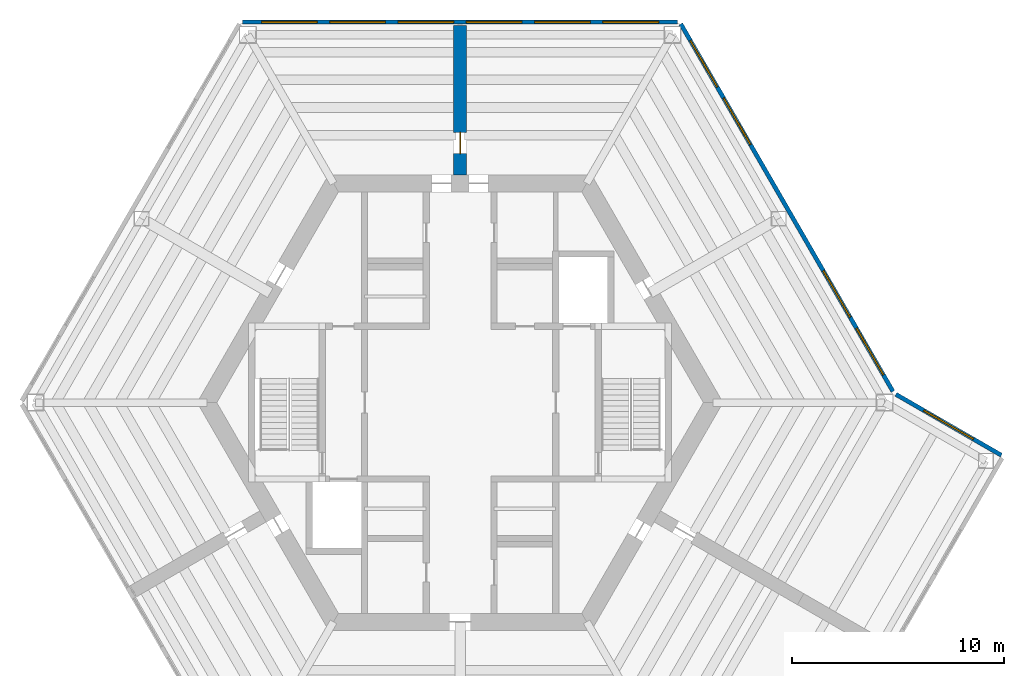
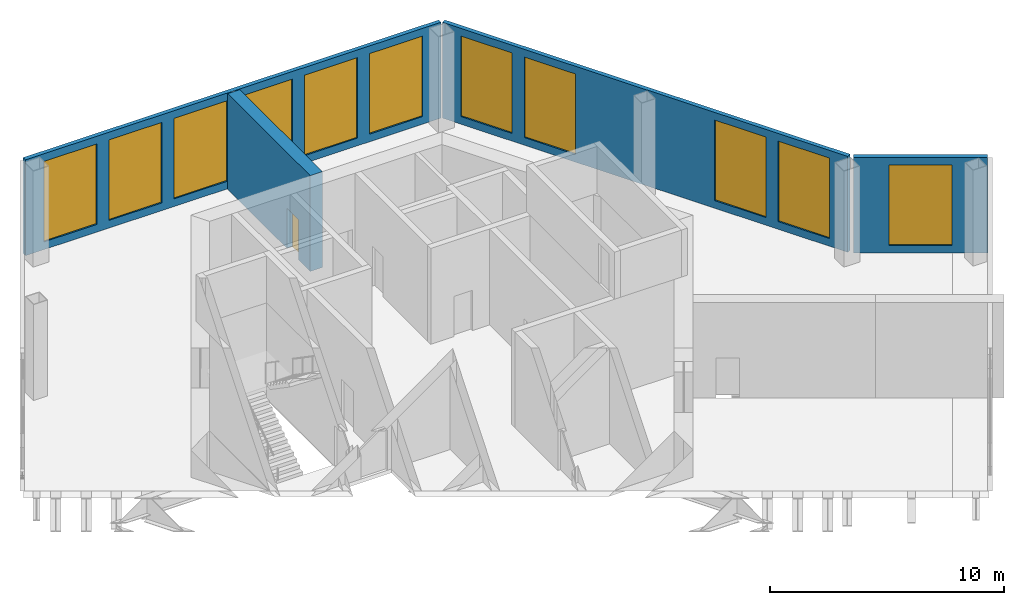
# One storey, part 6 of 8: 11 windows, 4 walls, 1 door, 12 openings.
"""IFC4 building model written with IfcOpenShell, lengths in metres."""

from ifc_helpers import new_model, si_unit, direction, frame, frame_2d, origin, place, context, subcontext, project, spatial, rectangle, extrude, material, layer, layer_set, type_object, element, fill, save


model = new_model("IFC4")

# Units and contexts
model_context = context("Model", 3, precision=1e-05, world=origin(), true_north=direction((0.0, 1.0)))
body_context = subcontext(model_context, "Body", "Model", "MODEL_VIEW")
ifc_project = project(units=[si_unit("LENGTHUNIT", "METRE"), si_unit("AREAUNIT", "SQUARE_METRE"), si_unit("VOLUMEUNIT", "CUBIC_METRE"), si_unit("PLANEANGLEUNIT", "RADIAN"), si_unit("MASSUNIT", "GRAM", prefix="KILO")], contexts=[model_context])

# Site, building, storey
site_placement = place(None, origin())
site = spatial("IfcSite", under=ifc_project, at=site_placement, CompositionType="ELEMENT")
building_placement = place(site_placement, origin())
building = spatial("IfcBuilding", under=site, at=building_placement, Name="Kasaneha Research Tower", CompositionType="ELEMENT")
storey_placement = place(building_placement, frame((0.0, 0.0, 302.5)))
storey = spatial("IfcBuildingStorey", under=building, at=storey_placement, Name="L76", CompositionType="ELEMENT", Elevation=302.5)

# Wall, openings, windows
ifc_material_1 = material(Name="Terracotta cladding on steel frame", Category="masonry")
ifc_layer_1 = layer(ifc_material_1, 0.199951171875)
ifc_layer_set_1 = layer_set([ifc_layer_1], Name="Louvred plant wall 200")
wall_type_1 = type_object("IfcWallType", Name="Louvred plant wall 200", PredefinedType="ELEMENTEDWALL", material=ifc_layer_set_1)
wall_1_placement = place(storey_placement, frame((20.38916015625, 0.52587890625, 0.0), z_axis=(0.0, 0.0, 1.0), x_axis=(-0.499993861681, 0.866028947716, 0.0)))
wall_1 = element("IfcWall", 1, at=wall_1_placement, inside=storey, type_object=wall_type_1, Name="Louvred plant wall L76", PredefinedType="ELEMENTEDWALL", context=body_context, shape_type="SweptSolid", body=[
    extrude(rectangle(XDim=19.985595703125, YDim=0.199951171875, at=frame_2d((9.99267578125, 0.0))), origin(), (0.0, 0.0, 1.0), 5.0),
])
opening_1_placement = place(wall_1_placement, frame((0.89990234375, 0.0, 0.39990234375)))
opening_1 = element("IfcOpeningElement", 2, at=opening_1_placement, cuts=wall_1, Name="Opening LV6", PredefinedType="OPENING", context=body_context, shape_type="SweptSolid", body=[
    extrude(rectangle(XDim=2.531005859375, YDim=4.199951171875, at=frame_2d((1.265625, 2.10009765625))), frame((0.0, 0.10986328125, 0.0), z_axis=(0.0, -1.0, 0.0), x_axis=(1.0, 0.0, 0.0)), (0.0, 0.0, 1.0), 0.219970703125),
])
opening_2_placement = place(wall_1_placement, frame((4.031005859375, 0.0, 0.39990234375)))
opening_2 = element("IfcOpeningElement", 3, at=opening_2_placement, cuts=wall_1, Name="Opening LV6", PredefinedType="OPENING", context=body_context, shape_type="SweptSolid", body=[
    extrude(rectangle(XDim=2.531005859375, YDim=4.199951171875, at=frame_2d((1.265625, 2.10009765625))), frame((0.0, 0.10986328125, 0.0), z_axis=(0.0, -1.0, 0.0), x_axis=(1.0, 0.0, 0.0)), (0.0, 0.0, 1.0), 0.219970703125),
])
opening_3_placement = place(wall_1_placement, frame((13.423828125, 0.0, 0.39990234375)))
opening_3 = element("IfcOpeningElement", 4, at=opening_3_placement, cuts=wall_1, Name="Opening LV6", PredefinedType="OPENING", context=body_context, shape_type="SweptSolid", body=[
    extrude(rectangle(XDim=2.531005859375, YDim=4.199951171875, at=frame_2d((1.265625, 2.10009765625))), frame((0.0, 0.10986328125, 0.0), z_axis=(0.0, -1.0, 0.0), x_axis=(1.0, 0.0, 0.0)), (0.0, 0.0, 1.0), 0.219970703125),
])
opening_4_placement = place(wall_1_placement, frame((16.5546875, 0.0, 0.39990234375)))
opening_4 = element("IfcOpeningElement", 5, at=opening_4_placement, cuts=wall_1, Name="Opening LV6", PredefinedType="OPENING", context=body_context, shape_type="SweptSolid", body=[
    extrude(rectangle(XDim=2.531005859375, YDim=4.199951171875, at=frame_2d((1.265625, 2.10009765625))), frame((0.0, 0.10986328125, 0.0), z_axis=(0.0, -1.0, 0.0), x_axis=(1.0, 0.0, 0.0)), (0.0, 0.0, 1.0), 0.219970703125),
])
ifc_material_2 = material(Name="Aluminium 6063-T6", Category="aluminium")
window_type_1 = type_object("IfcWindowType", Name="Louvre 2531x4200", PartitioningType="SINGLE_PANEL", PredefinedType="USERDEFINED", material=ifc_material_2)
window_1_placement = place(opening_1_placement, origin())
window_1 = element("IfcWindow", 6, at=window_1_placement, inside=storey, type_object=window_type_1, Name="Plant louvre L76 1", ObjectType="LOUVRE", OverallHeight=4.199951171875, OverallWidth=2.531005859375, PartitioningType="SINGLE_PANEL", PredefinedType="USERDEFINED", context=body_context, shape_type="SweptSolid", body=[
    extrude(rectangle(XDim=2.531005859375, YDim=4.199951171875, at=frame_2d((1.265625, 2.10009765625))), frame((0.0, 0.030029296875, 0.0), z_axis=(0.0, -1.0, 0.0), x_axis=(1.0, 0.0, 0.0)), (0.0, 0.0, 1.0), 0.06005859375),
])
fill(opening_1, window_1)
window_2_placement = place(opening_2_placement, origin())
window_2 = element("IfcWindow", 7, at=window_2_placement, inside=storey, type_object=window_type_1, Name="Plant louvre L76 2", ObjectType="LOUVRE", OverallHeight=4.199951171875, OverallWidth=2.531005859375, PartitioningType="SINGLE_PANEL", PredefinedType="USERDEFINED", context=body_context, shape_type="SweptSolid", body=[
    extrude(rectangle(XDim=2.531005859375, YDim=4.199951171875, at=frame_2d((1.265625, 2.10009765625))), frame((0.0, 0.030029296875, 0.0), z_axis=(0.0, -1.0, 0.0), x_axis=(1.0, 0.0, 0.0)), (0.0, 0.0, 1.0), 0.06005859375),
])
fill(opening_2, window_2)
window_3_placement = place(opening_3_placement, origin())
window_3 = element("IfcWindow", 8, at=window_3_placement, inside=storey, type_object=window_type_1, Name="Plant louvre L76 5", ObjectType="LOUVRE", OverallHeight=4.199951171875, OverallWidth=2.531005859375, PartitioningType="SINGLE_PANEL", PredefinedType="USERDEFINED", context=body_context, shape_type="SweptSolid", body=[
    extrude(rectangle(XDim=2.531005859375, YDim=4.199951171875, at=frame_2d((1.265625, 2.10009765625))), frame((0.0, 0.030029296875, 0.0), z_axis=(0.0, -1.0, 0.0), x_axis=(1.0, 0.0, 0.0)), (0.0, 0.0, 1.0), 0.06005859375),
])
fill(opening_3, window_3)
window_4_placement = place(opening_4_placement, origin())
window_4 = element("IfcWindow", 9, at=window_4_placement, inside=storey, type_object=window_type_1, Name="Plant louvre L76 6", ObjectType="LOUVRE", OverallHeight=4.199951171875, OverallWidth=2.531005859375, PartitioningType="SINGLE_PANEL", PredefinedType="USERDEFINED", context=body_context, shape_type="SweptSolid", body=[
    extrude(rectangle(XDim=2.531005859375, YDim=4.199951171875, at=frame_2d((1.265625, 2.10009765625))), frame((0.0, 0.030029296875, 0.0), z_axis=(0.0, -1.0, 0.0), x_axis=(1.0, 0.0, 0.0)), (0.0, 0.0, 1.0), 0.06005859375),
])
fill(opening_4, window_4)

wall_2_placement = place(storey_placement, frame((10.246337890625, 17.92041015625, 0.0), z_axis=(0.0, 0.0, 1.0), x_axis=(-1.0, 0.0, 0.0)))
wall_2 = element("IfcWall", 10, at=wall_2_placement, inside=storey, type_object=wall_type_1, Name="Louvred plant wall L76", PredefinedType="ELEMENTEDWALL", context=body_context, shape_type="SweptSolid", body=[
    extrude(rectangle(XDim=20.49267578125, YDim=0.199951171875, at=frame_2d((10.246337890625, 0.0))), origin(), (0.0, 0.0, 1.0), 5.0),
])
opening_5_placement = place(wall_2_placement, frame((0.89990234375, 0.0, 0.39990234375)))
opening_5 = element("IfcOpeningElement", 11, at=opening_5_placement, cuts=wall_2, Name="Opening LV7", PredefinedType="OPENING", context=body_context, shape_type="SweptSolid", body=[
    extrude(rectangle(XDim=2.615478515625, YDim=4.199951171875, at=frame_2d((1.3076171875, 2.10009765625))), frame((0.0, 0.10986328125, 0.0), z_axis=(0.0, -1.0, 0.0), x_axis=(1.0, 0.0, 0.0)), (0.0, 0.0, 1.0), 0.219970703125),
])
opening_6_placement = place(wall_2_placement, frame((4.115478515625, 0.0, 0.39990234375)))
opening_6 = element("IfcOpeningElement", 12, at=opening_6_placement, cuts=wall_2, Name="Opening LV7", PredefinedType="OPENING", context=body_context, shape_type="SweptSolid", body=[
    extrude(rectangle(XDim=2.615478515625, YDim=4.199951171875, at=frame_2d((1.3076171875, 2.10009765625))), frame((0.0, 0.10986328125, 0.0), z_axis=(0.0, -1.0, 0.0), x_axis=(1.0, 0.0, 0.0)), (0.0, 0.0, 1.0), 0.219970703125),
])
opening_7_placement = place(wall_2_placement, frame((7.3310546875, 0.0, 0.39990234375)))
opening_7 = element("IfcOpeningElement", 13, at=opening_7_placement, cuts=wall_2, Name="Opening LV7", PredefinedType="OPENING", context=body_context, shape_type="SweptSolid", body=[
    extrude(rectangle(XDim=2.615478515625, YDim=4.199951171875, at=frame_2d((1.3076171875, 2.10009765625))), frame((0.0, 0.10986328125, 0.0), z_axis=(0.0, -1.0, 0.0), x_axis=(1.0, 0.0, 0.0)), (0.0, 0.0, 1.0), 0.219970703125),
])
opening_8_placement = place(wall_2_placement, frame((10.54638671875, 0.0, 0.39990234375)))
opening_8 = element("IfcOpeningElement", 14, at=opening_8_placement, cuts=wall_2, Name="Opening LV7", PredefinedType="OPENING", context=body_context, shape_type="SweptSolid", body=[
    extrude(rectangle(XDim=2.615478515625, YDim=4.199951171875, at=frame_2d((1.3076171875, 2.10009765625))), frame((0.0, 0.10986328125, 0.0), z_axis=(0.0, -1.0, 0.0), x_axis=(1.0, 0.0, 0.0)), (0.0, 0.0, 1.0), 0.219970703125),
])
opening_9_placement = place(wall_2_placement, frame((13.761962890625, 0.0, 0.39990234375)))
opening_9 = element("IfcOpeningElement", 15, at=opening_9_placement, cuts=wall_2, Name="Opening LV7", PredefinedType="OPENING", context=body_context, shape_type="SweptSolid", body=[
    extrude(rectangle(XDim=2.615478515625, YDim=4.199951171875, at=frame_2d((1.3076171875, 2.10009765625))), frame((0.0, 0.10986328125, 0.0), z_axis=(0.0, -1.0, 0.0), x_axis=(1.0, 0.0, 0.0)), (0.0, 0.0, 1.0), 0.219970703125),
])
opening_10_placement = place(wall_2_placement, frame((16.977294921875, 0.0, 0.39990234375)))
opening_10 = element("IfcOpeningElement", 16, at=opening_10_placement, cuts=wall_2, Name="Opening LV7", PredefinedType="OPENING", context=body_context, shape_type="SweptSolid", body=[
    extrude(rectangle(XDim=2.615478515625, YDim=4.199951171875, at=frame_2d((1.3076171875, 2.10009765625))), frame((0.0, 0.10986328125, 0.0), z_axis=(0.0, -1.0, 0.0), x_axis=(1.0, 0.0, 0.0)), (0.0, 0.0, 1.0), 0.219970703125),
])
ifc_material_3 = material(Name="Aluminium 6063-T6", Category="aluminium")
window_type_2 = type_object("IfcWindowType", Name="Louvre 2615x4200", PartitioningType="SINGLE_PANEL", PredefinedType="USERDEFINED", material=ifc_material_3)
window_5_placement = place(opening_5_placement, origin())
window_5 = element("IfcWindow", 17, at=window_5_placement, inside=storey, type_object=window_type_2, Name="Plant louvre L76 1", ObjectType="LOUVRE", OverallHeight=4.199951171875, OverallWidth=2.615478515625, PartitioningType="SINGLE_PANEL", PredefinedType="USERDEFINED", context=body_context, shape_type="SweptSolid", body=[
    extrude(rectangle(XDim=2.615478515625, YDim=4.199951171875, at=frame_2d((1.3076171875, 2.10009765625))), frame((0.0, 0.030029296875, 0.0), z_axis=(0.0, -1.0, 0.0), x_axis=(1.0, 0.0, 0.0)), (0.0, 0.0, 1.0), 0.06005859375),
])
fill(opening_5, window_5)
window_6_placement = place(opening_6_placement, origin())
window_6 = element("IfcWindow", 18, at=window_6_placement, inside=storey, type_object=window_type_2, Name="Plant louvre L76 2", ObjectType="LOUVRE", OverallHeight=4.199951171875, OverallWidth=2.615478515625, PartitioningType="SINGLE_PANEL", PredefinedType="USERDEFINED", context=body_context, shape_type="SweptSolid", body=[
    extrude(rectangle(XDim=2.615478515625, YDim=4.199951171875, at=frame_2d((1.3076171875, 2.10009765625))), frame((0.0, 0.030029296875, 0.0), z_axis=(0.0, -1.0, 0.0), x_axis=(1.0, 0.0, 0.0)), (0.0, 0.0, 1.0), 0.06005859375),
])
fill(opening_6, window_6)
window_7_placement = place(opening_7_placement, origin())
window_7 = element("IfcWindow", 19, at=window_7_placement, inside=storey, type_object=window_type_2, Name="Plant louvre L76 3", ObjectType="LOUVRE", OverallHeight=4.199951171875, OverallWidth=2.615478515625, PartitioningType="SINGLE_PANEL", PredefinedType="USERDEFINED", context=body_context, shape_type="SweptSolid", body=[
    extrude(rectangle(XDim=2.615478515625, YDim=4.199951171875, at=frame_2d((1.3076171875, 2.10009765625))), frame((0.0, 0.030029296875, 0.0), z_axis=(0.0, -1.0, 0.0), x_axis=(1.0, 0.0, 0.0)), (0.0, 0.0, 1.0), 0.06005859375),
])
fill(opening_7, window_7)
window_8_placement = place(opening_8_placement, origin())
window_8 = element("IfcWindow", 20, at=window_8_placement, inside=storey, type_object=window_type_2, Name="Plant louvre L76 4", ObjectType="LOUVRE", OverallHeight=4.199951171875, OverallWidth=2.615478515625, PartitioningType="SINGLE_PANEL", PredefinedType="USERDEFINED", context=body_context, shape_type="SweptSolid", body=[
    extrude(rectangle(XDim=2.615478515625, YDim=4.199951171875, at=frame_2d((1.3076171875, 2.10009765625))), frame((0.0, 0.030029296875, 0.0), z_axis=(0.0, -1.0, 0.0), x_axis=(1.0, 0.0, 0.0)), (0.0, 0.0, 1.0), 0.06005859375),
])
fill(opening_8, window_8)
window_9_placement = place(opening_9_placement, origin())
window_9 = element("IfcWindow", 21, at=window_9_placement, inside=storey, type_object=window_type_2, Name="Plant louvre L76 5", ObjectType="LOUVRE", OverallHeight=4.199951171875, OverallWidth=2.615478515625, PartitioningType="SINGLE_PANEL", PredefinedType="USERDEFINED", context=body_context, shape_type="SweptSolid", body=[
    extrude(rectangle(XDim=2.615478515625, YDim=4.199951171875, at=frame_2d((1.3076171875, 2.10009765625))), frame((0.0, 0.030029296875, 0.0), z_axis=(0.0, -1.0, 0.0), x_axis=(1.0, 0.0, 0.0)), (0.0, 0.0, 1.0), 0.06005859375),
])
fill(opening_9, window_9)
window_10_placement = place(opening_10_placement, origin())
window_10 = element("IfcWindow", 22, at=window_10_placement, inside=storey, type_object=window_type_2, Name="Plant louvre L76 6", ObjectType="LOUVRE", OverallHeight=4.199951171875, OverallWidth=2.615478515625, PartitioningType="SINGLE_PANEL", PredefinedType="USERDEFINED", context=body_context, shape_type="SweptSolid", body=[
    extrude(rectangle(XDim=2.615478515625, YDim=4.199951171875, at=frame_2d((1.3076171875, 2.10009765625))), frame((0.0, 0.030029296875, 0.0), z_axis=(0.0, -1.0, 0.0), x_axis=(1.0, 0.0, 0.0)), (0.0, 0.0, 1.0), 0.06005859375),
])
fill(opening_10, window_10)

# Wall, opening, window
wall_3_placement = place(storey_placement, frame((25.49609375, -2.48046875, 0.0), z_axis=(0.0, 0.0, 1.0), x_axis=(-0.866019818373, 0.500009674092, 0.0)))
wall_3 = element("IfcWall", 23, at=wall_3_placement, inside=storey, type_object=wall_type_1, Name="Louvred plant wall L76", PredefinedType="ELEMENTEDWALL", context=body_context, shape_type="SweptSolid", body=[
    extrude(rectangle(XDim=5.7392578125, YDim=0.199951171875, at=frame_2d((2.86962890625, 0.0))), origin(), (0.0, 0.0, 1.0), 5.0),
])
opening_11_placement = place(wall_3_placement, frame((1.51953125, 0.0, 0.39990234375)))
opening_11 = element("IfcOpeningElement", 24, at=opening_11_placement, cuts=wall_3, Name="Opening LV3", PredefinedType="OPENING", context=body_context, shape_type="SweptSolid", body=[
    extrude(rectangle(XDim=2.699951171875, YDim=4.199951171875, at=frame_2d((1.35009765625, 2.10009765625))), frame((0.0, 0.10986328125, 0.0), z_axis=(0.0, -1.0, 0.0), x_axis=(1.0, 0.0, 0.0)), (0.0, 0.0, 1.0), 0.219970703125),
])
ifc_material_4 = material(Name="Aluminium 6063-T6", Category="aluminium")
window_type_3 = type_object("IfcWindowType", Name="Louvre 2700x4200", PartitioningType="SINGLE_PANEL", PredefinedType="USERDEFINED", material=ifc_material_4)
window_11_placement = place(opening_11_placement, origin())
window_11 = element("IfcWindow", 25, at=window_11_placement, inside=storey, type_object=window_type_3, Name="Plant louvre L76 1", ObjectType="LOUVRE", OverallHeight=4.199951171875, OverallWidth=2.699951171875, PartitioningType="SINGLE_PANEL", PredefinedType="USERDEFINED", context=body_context, shape_type="SweptSolid", body=[
    extrude(rectangle(XDim=2.699951171875, YDim=4.199951171875, at=frame_2d((1.35009765625, 2.10009765625))), frame((0.0, 0.030029296875, 0.0), z_axis=(0.0, -1.0, 0.0), x_axis=(1.0, 0.0, 0.0)), (0.0, 0.0, 1.0), 0.06005859375),
])
fill(opening_11, window_11)

# Wall, opening, door
ifc_material_5 = material(Name="Concrete Fc60", Category="concrete")
ifc_layer_2 = layer(ifc_material_5, 0.60009765625)
ifc_layer_set_2 = layer_set([ifc_layer_2], Name="Spine wall 600 Fc60")
wall_type_2 = type_object("IfcWallType", Name="Spine wall 600 Fc60", PredefinedType="SHEAR", material=ifc_layer_set_2)
wall_4_placement = place(storey_placement, frame((0.0, 10.72509765625, 0.0), z_axis=(0.0, 0.0, 1.0), x_axis=(0.0, 1.0, 0.0)))
wall_4 = element("IfcWall", 26, at=wall_4_placement, inside=storey, type_object=wall_type_2, Name="Spine wall A L76", PredefinedType="SHEAR", context=body_context, shape_type="SweptSolid", body=[
    extrude(rectangle(XDim=7.04541015625, YDim=0.60009765625, at=frame_2d((3.522705078125, 0.0))), origin(), (0.0, 0.0, 1.0), 5.0),
])
opening_12_placement = place(wall_4_placement, frame((1.0, 0.0, 0.0)))
opening_12 = element("IfcOpeningElement", 27, at=opening_12_placement, cuts=wall_4, Name="Opening L76-D18", PredefinedType="OPENING", context=body_context, shape_type="SweptSolid", body=[
    extrude(rectangle(XDim=1.0, YDim=2.10009765625, at=frame_2d((0.5, 1.050048828125))), frame((0.0, 0.31005859375, 0.0), z_axis=(0.0, -1.0, 0.0), x_axis=(1.0, 0.0, 0.0)), (0.0, 0.0, 1.0), 0.6201171875),
])
ifc_material_6 = material(Name="Steel", Category="steel")
door_type = type_object("IfcDoorType", Name="Specified fire door FD60 1000x2100", OperationType="NOTDEFINED", PredefinedType="DOOR", material=ifc_material_6)
door_placement = place(opening_12_placement, origin())
door = element("IfcDoor", 28, at=door_placement, inside=storey, type_object=door_type, Name="Spine doorway A L76-D18", OperationType="SINGLE_SWING_LEFT", OverallHeight=2.10009765625, OverallWidth=1.0, PredefinedType="DOOR", context=body_context, shape_type="SweptSolid", body=[
    extrude(rectangle(XDim=1.0, YDim=2.10009765625, at=frame_2d((0.5, 1.050048828125))), frame((0.0, 0.02490234375, 0.0), z_axis=(0.0, -1.0, 0.0), x_axis=(1.0, 0.0, 0.0)), (0.0, 0.0, 1.0), 0.050048828125),
])
fill(opening_12, door)

save(model, "model.ifc")
